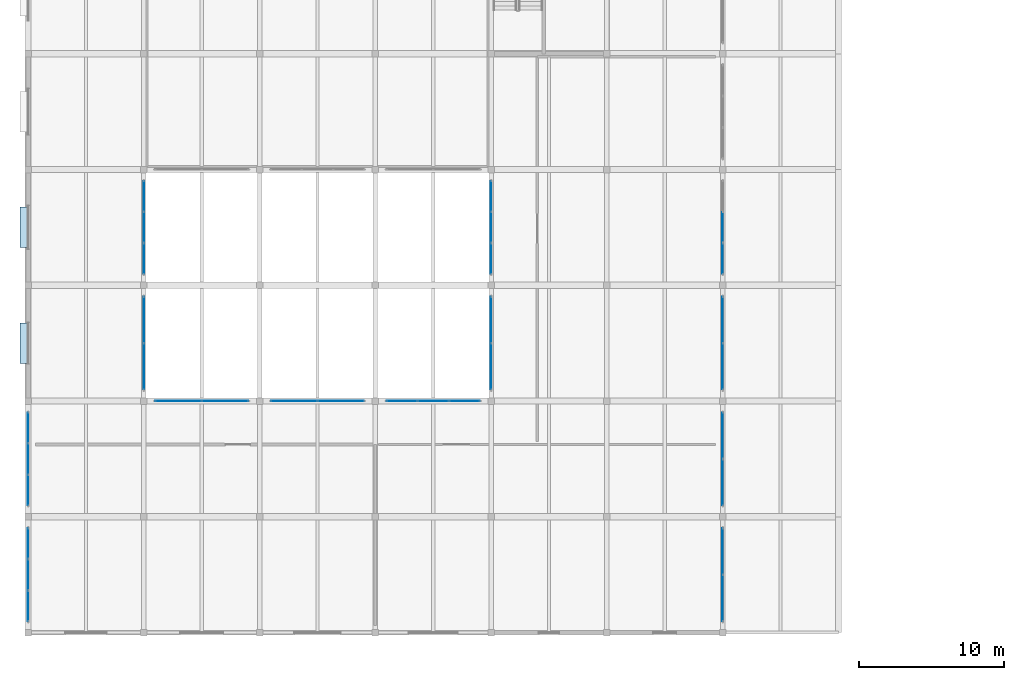
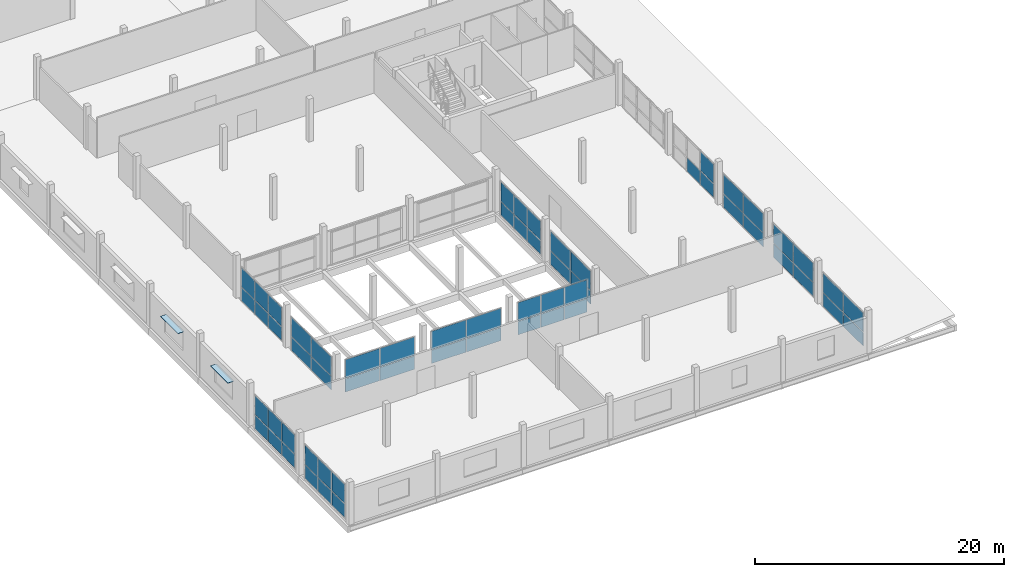
# One storey, part 32 of 53: 63 plates, 13 elements without a shape of their own.
"""IFC4 building model written with IfcOpenShell, lengths in metres."""

from ifc_helpers import new_model, si_unit, direction, frame, origin, origin_2d, place, context, subcontext, project, spatial, rectangle, extrude, material, layer, layer_set, type_object, element, aggregate, save


model = new_model("IFC4")

# Units and contexts
model_context = context("Model", 3, precision=1e-05, world=origin(), true_north=direction((0.0, 1.0)))
body_context = subcontext(model_context, "Body", "Model", "MODEL_VIEW")
ifc_project = project(units=[si_unit("LENGTHUNIT", "METRE"), si_unit("AREAUNIT", "SQUARE_METRE"), si_unit("VOLUMEUNIT", "CUBIC_METRE"), si_unit("PLANEANGLEUNIT", "RADIAN"), si_unit("MASSUNIT", "GRAM", prefix="KILO")], contexts=[model_context])

# Site, building, storey
site_placement = place(None, origin())
site = spatial("IfcSite", under=ifc_project, at=site_placement, CompositionType="ELEMENT")
building_placement = place(site_placement, origin())
building = spatial("IfcBuilding", under=site, at=building_placement, Name="Vharandega Faculty of Natural Sciences", CompositionType="ELEMENT")
storey_placement = place(building_placement, frame((0.0, 0.0, 10.199951171875)))
storey = spatial("IfcBuildingStorey", under=building, at=storey_placement, Name="L02", CompositionType="ELEMENT", Elevation=10.199951171875)

# Curtain wall, plates
ifc_material_1 = material(Name="Aluminium and solar-control glass curtain wall", Category="aluminium")
curtain_wall_type_1 = type_object("IfcCurtainWallType", Name="Unitised Curtain Wall System CW-20", PredefinedType="NOTDEFINED", material=ifc_material_1)
curtain_wall_1_placement = place(storey_placement, origin())
curtain_wall_1 = element("IfcCurtainWall", 1, at=curtain_wall_1_placement, inside=storey, type_object=curtain_wall_type_1, Name="Curtain Wall CW-L02-131", PredefinedType="NOTDEFINED")
ifc_material_2 = material(Name="Double-glazed low-E solar glass", Category="glass")
ifc_layer_1 = layer(ifc_material_2, 0.028076171875, Name="Double-glazed low-E solar glass")
ifc_layer_set_1 = layer_set([ifc_layer_1], Name="Double-glazed low-E solar glass")
plate_type_1 = type_object("IfcPlateType", Name="CW Solar Vision Panel 28mm", PredefinedType="CURTAIN_PANEL", material=ifc_layer_set_1)
plate_1_placement = place(storey_placement, frame((0.0, 1.841552734375, 0.06005859375), z_axis=(0.0, 0.0, 1.0), x_axis=(0.0, 1.0, 0.0)))
plate_1 = element("IfcPlate", 2, at=plate_1_placement, type_object=plate_type_1, Name="CW-20 panel 1.1", PredefinedType="CURTAIN_PANEL", context=body_context, shape_type="SweptSolid", body=[
    extrude(rectangle(XDim=2.083251953125, YDim=0.028076171875, at=origin_2d()), origin(), (0.0, 0.0, 1.0), 1.3212890625),
])
plate_2_placement = place(storey_placement, frame((0.0, 1.841552734375, 1.441162109375), z_axis=(0.0, 0.0, 1.0), x_axis=(0.0, 1.0, 0.0)))
plate_2 = element("IfcPlate", 3, at=plate_2_placement, type_object=plate_type_1, Name="CW-20 panel 1.2", PredefinedType="CURTAIN_PANEL", context=body_context, shape_type="SweptSolid", body=[
    extrude(rectangle(XDim=2.083251953125, YDim=0.028076171875, at=origin_2d()), origin(), (0.0, 0.0, 1.0), 1.85888671875),
])
plate_3_placement = place(storey_placement, frame((0.0, 4.0, 0.06005859375), z_axis=(0.0, 0.0, 1.0), x_axis=(0.0, 1.0, 0.0)))
plate_3 = element("IfcPlate", 4, at=plate_3_placement, type_object=plate_type_1, Name="CW-20 panel 2.1", PredefinedType="CURTAIN_PANEL", context=body_context, shape_type="SweptSolid", body=[
    extrude(rectangle(XDim=2.11328125, YDim=0.028076171875, at=origin_2d()), origin(), (0.0, 0.0, 1.0), 1.3212890625),
])
plate_4_placement = place(storey_placement, frame((0.0, 4.0, 1.441162109375), z_axis=(0.0, 0.0, 1.0), x_axis=(0.0, 1.0, 0.0)))
plate_4 = element("IfcPlate", 5, at=plate_4_placement, type_object=plate_type_1, Name="CW-20 panel 2.2", PredefinedType="CURTAIN_PANEL", context=body_context, shape_type="SweptSolid", body=[
    extrude(rectangle(XDim=2.11328125, YDim=0.028076171875, at=origin_2d()), origin(), (0.0, 0.0, 1.0), 1.85888671875),
])
plate_5_placement = place(storey_placement, frame((0.0, 6.158447265625, 0.06005859375), z_axis=(0.0, 0.0, 1.0), x_axis=(0.0, 1.0, 0.0)))
plate_5 = element("IfcPlate", 6, at=plate_5_placement, type_object=plate_type_1, Name="CW-20 panel 3.1", PredefinedType="CURTAIN_PANEL", context=body_context, shape_type="SweptSolid", body=[
    extrude(rectangle(XDim=2.083251953125, YDim=0.028076171875, at=origin_2d()), origin(), (0.0, 0.0, 1.0), 1.3212890625),
])
plate_6_placement = place(storey_placement, frame((0.0, 6.158447265625, 1.441162109375), z_axis=(0.0, 0.0, 1.0), x_axis=(0.0, 1.0, 0.0)))
plate_6 = element("IfcPlate", 7, at=plate_6_placement, type_object=plate_type_1, Name="CW-20 panel 3.2", PredefinedType="CURTAIN_PANEL", context=body_context, shape_type="SweptSolid", body=[
    extrude(rectangle(XDim=2.083251953125, YDim=0.028076171875, at=origin_2d()), origin(), (0.0, 0.0, 1.0), 1.85888671875),
])
aggregate(curtain_wall_1, [plate_1, plate_2, plate_3, plate_4, plate_5, plate_6])

ifc_material_3 = material(Name="Aluminium and solar-control glass curtain wall", Category="aluminium")
curtain_wall_type_2 = type_object("IfcCurtainWallType", Name="Unitised Curtain Wall System CW-21", PredefinedType="NOTDEFINED", material=ifc_material_3)
curtain_wall_2_placement = place(storey_placement, origin())
curtain_wall_2 = element("IfcCurtainWall", 8, at=curtain_wall_2_placement, inside=storey, type_object=curtain_wall_type_2, Name="Curtain Wall CW-L02-132", PredefinedType="NOTDEFINED")
plate_7_placement = place(storey_placement, frame((0.0, 9.841552734375, 0.06005859375), z_axis=(0.0, 0.0, 1.0), x_axis=(0.0, 1.0, 0.0)))
plate_7 = element("IfcPlate", 9, at=plate_7_placement, type_object=plate_type_1, Name="CW-21 panel 1.1", PredefinedType="CURTAIN_PANEL", context=body_context, shape_type="SweptSolid", body=[
    extrude(rectangle(XDim=2.083251953125, YDim=0.028076171875, at=origin_2d()), origin(), (0.0, 0.0, 1.0), 1.3212890625),
])
plate_8_placement = place(storey_placement, frame((0.0, 9.841552734375, 1.441162109375), z_axis=(0.0, 0.0, 1.0), x_axis=(0.0, 1.0, 0.0)))
plate_8 = element("IfcPlate", 10, at=plate_8_placement, type_object=plate_type_1, Name="CW-21 panel 1.2", PredefinedType="CURTAIN_PANEL", context=body_context, shape_type="SweptSolid", body=[
    extrude(rectangle(XDim=2.083251953125, YDim=0.028076171875, at=origin_2d()), origin(), (0.0, 0.0, 1.0), 1.85888671875),
])
plate_9_placement = place(storey_placement, frame((0.0, 12.0, 0.06005859375), z_axis=(0.0, 0.0, 1.0), x_axis=(0.0, 1.0, 0.0)))
plate_9 = element("IfcPlate", 11, at=plate_9_placement, type_object=plate_type_1, Name="CW-21 panel 2.1", PredefinedType="CURTAIN_PANEL", context=body_context, shape_type="SweptSolid", body=[
    extrude(rectangle(XDim=2.11328125, YDim=0.028076171875, at=origin_2d()), origin(), (0.0, 0.0, 1.0), 1.3212890625),
])
plate_10_placement = place(storey_placement, frame((0.0, 12.0, 1.441162109375), z_axis=(0.0, 0.0, 1.0), x_axis=(0.0, 1.0, 0.0)))
plate_10 = element("IfcPlate", 12, at=plate_10_placement, type_object=plate_type_1, Name="CW-21 panel 2.2", PredefinedType="CURTAIN_PANEL", context=body_context, shape_type="SweptSolid", body=[
    extrude(rectangle(XDim=2.11328125, YDim=0.028076171875, at=origin_2d()), origin(), (0.0, 0.0, 1.0), 1.85888671875),
])
plate_11_placement = place(storey_placement, frame((0.0, 14.158447265625, 0.06005859375), z_axis=(0.0, 0.0, 1.0), x_axis=(0.0, 1.0, 0.0)))
plate_11 = element("IfcPlate", 13, at=plate_11_placement, type_object=plate_type_1, Name="CW-21 panel 3.1", PredefinedType="CURTAIN_PANEL", context=body_context, shape_type="SweptSolid", body=[
    extrude(rectangle(XDim=2.083251953125, YDim=0.028076171875, at=origin_2d()), origin(), (0.0, 0.0, 1.0), 1.3212890625),
])
plate_12_placement = place(storey_placement, frame((0.0, 14.158447265625, 1.441162109375), z_axis=(0.0, 0.0, 1.0), x_axis=(0.0, 1.0, 0.0)))
plate_12 = element("IfcPlate", 14, at=plate_12_placement, type_object=plate_type_1, Name="CW-21 panel 3.2", PredefinedType="CURTAIN_PANEL", context=body_context, shape_type="SweptSolid", body=[
    extrude(rectangle(XDim=2.083251953125, YDim=0.028076171875, at=origin_2d()), origin(), (0.0, 0.0, 1.0), 1.85888671875),
])
aggregate(curtain_wall_2, [plate_7, plate_8, plate_9, plate_10, plate_11, plate_12])

ifc_material_4 = material(Name="Aluminium and solar-control glass curtain wall", Category="aluminium")
curtain_wall_type_3 = type_object("IfcCurtainWallType", Name="Unitised Curtain Wall System CW-22", PredefinedType="NOTDEFINED", material=ifc_material_4)
curtain_wall_3_placement = place(storey_placement, origin())
curtain_wall_3 = element("IfcCurtainWall", 15, at=curtain_wall_3_placement, inside=storey, type_object=curtain_wall_type_3, Name="Curtain Wall CW-L02-133", PredefinedType="NOTDEFINED")
plate_13_placement = place(storey_placement, frame((48.0, 2.385009765625, 0.06005859375), z_axis=(0.0, 0.0, 1.0), x_axis=(0.0, 1.0, 0.0)))
plate_13 = element("IfcPlate", 16, at=plate_13_placement, type_object=plate_type_1, Name="CW-22 panel 1.1", PredefinedType="CURTAIN_PANEL", context=body_context, shape_type="SweptSolid", body=[
    extrude(rectangle(XDim=3.169921875, YDim=0.028076171875, at=origin_2d()), origin(), (0.0, 0.0, 1.0), 1.3212890625),
])
plate_14_placement = place(storey_placement, frame((48.0, 2.385009765625, 1.441162109375), z_axis=(0.0, 0.0, 1.0), x_axis=(0.0, 1.0, 0.0)))
plate_14 = element("IfcPlate", 17, at=plate_14_placement, type_object=plate_type_1, Name="CW-22 panel 1.2", PredefinedType="CURTAIN_PANEL", context=body_context, shape_type="SweptSolid", body=[
    extrude(rectangle(XDim=3.169921875, YDim=0.028076171875, at=origin_2d()), origin(), (0.0, 0.0, 1.0), 1.85888671875),
])
plate_15_placement = place(storey_placement, frame((48.0, 5.614990234375, 0.06005859375), z_axis=(0.0, 0.0, 1.0), x_axis=(0.0, 1.0, 0.0)))
plate_15 = element("IfcPlate", 18, at=plate_15_placement, type_object=plate_type_1, Name="CW-22 panel 2.1", PredefinedType="CURTAIN_PANEL", context=body_context, shape_type="SweptSolid", body=[
    extrude(rectangle(XDim=3.169921875, YDim=0.028076171875, at=origin_2d()), origin(), (0.0, 0.0, 1.0), 1.3212890625),
])
plate_16_placement = place(storey_placement, frame((48.0, 5.614990234375, 1.441162109375), z_axis=(0.0, 0.0, 1.0), x_axis=(0.0, 1.0, 0.0)))
plate_16 = element("IfcPlate", 19, at=plate_16_placement, type_object=plate_type_1, Name="CW-22 panel 2.2", PredefinedType="CURTAIN_PANEL", context=body_context, shape_type="SweptSolid", body=[
    extrude(rectangle(XDim=3.169921875, YDim=0.028076171875, at=origin_2d()), origin(), (0.0, 0.0, 1.0), 1.85888671875),
])
aggregate(curtain_wall_3, [plate_13, plate_14, plate_15, plate_16])

ifc_material_5 = material(Name="Aluminium and solar-control glass curtain wall", Category="aluminium")
curtain_wall_type_4 = type_object("IfcCurtainWallType", Name="Unitised Curtain Wall System CW-23", PredefinedType="NOTDEFINED", material=ifc_material_5)
curtain_wall_4_placement = place(storey_placement, origin())
curtain_wall_4 = element("IfcCurtainWall", 20, at=curtain_wall_4_placement, inside=storey, type_object=curtain_wall_type_4, Name="Curtain Wall CW-L02-134", PredefinedType="NOTDEFINED")
plate_17_placement = place(storey_placement, frame((48.0, 10.385009765625, 0.06005859375), z_axis=(0.0, 0.0, 1.0), x_axis=(0.0, 1.0, 0.0)))
plate_17 = element("IfcPlate", 21, at=plate_17_placement, type_object=plate_type_1, Name="CW-23 panel 1.1", PredefinedType="CURTAIN_PANEL", context=body_context, shape_type="SweptSolid", body=[
    extrude(rectangle(XDim=3.169921875, YDim=0.028076171875, at=origin_2d()), origin(), (0.0, 0.0, 1.0), 1.3212890625),
])
plate_18_placement = place(storey_placement, frame((48.0, 10.385009765625, 1.441162109375), z_axis=(0.0, 0.0, 1.0), x_axis=(0.0, 1.0, 0.0)))
plate_18 = element("IfcPlate", 22, at=plate_18_placement, type_object=plate_type_1, Name="CW-23 panel 1.2", PredefinedType="CURTAIN_PANEL", context=body_context, shape_type="SweptSolid", body=[
    extrude(rectangle(XDim=3.169921875, YDim=0.028076171875, at=origin_2d()), origin(), (0.0, 0.0, 1.0), 1.85888671875),
])
plate_19_placement = place(storey_placement, frame((48.0, 13.614990234375, 0.06005859375), z_axis=(0.0, 0.0, 1.0), x_axis=(0.0, 1.0, 0.0)))
plate_19 = element("IfcPlate", 23, at=plate_19_placement, type_object=plate_type_1, Name="CW-23 panel 2.1", PredefinedType="CURTAIN_PANEL", context=body_context, shape_type="SweptSolid", body=[
    extrude(rectangle(XDim=3.169921875, YDim=0.028076171875, at=origin_2d()), origin(), (0.0, 0.0, 1.0), 1.3212890625),
])
plate_20_placement = place(storey_placement, frame((48.0, 13.614990234375, 1.441162109375), z_axis=(0.0, 0.0, 1.0), x_axis=(0.0, 1.0, 0.0)))
plate_20 = element("IfcPlate", 24, at=plate_20_placement, type_object=plate_type_1, Name="CW-23 panel 2.2", PredefinedType="CURTAIN_PANEL", context=body_context, shape_type="SweptSolid", body=[
    extrude(rectangle(XDim=3.169921875, YDim=0.028076171875, at=origin_2d()), origin(), (0.0, 0.0, 1.0), 1.85888671875),
])
aggregate(curtain_wall_4, [plate_17, plate_18, plate_19, plate_20])

ifc_material_6 = material(Name="Aluminium and solar-control glass curtain wall", Category="aluminium")
curtain_wall_type_5 = type_object("IfcCurtainWallType", Name="Unitised Curtain Wall System CW-24", PredefinedType="NOTDEFINED", material=ifc_material_6)
curtain_wall_5_placement = place(storey_placement, origin())
curtain_wall_5 = element("IfcCurtainWall", 25, at=curtain_wall_5_placement, inside=storey, type_object=curtain_wall_type_5, Name="Curtain Wall CW-L02-135", PredefinedType="NOTDEFINED")
plate_21_placement = place(storey_placement, frame((48.0, 18.385009765625, 0.06005859375), z_axis=(0.0, 0.0, 1.0), x_axis=(0.0, 1.0, 0.0)))
plate_21 = element("IfcPlate", 26, at=plate_21_placement, type_object=plate_type_1, Name="CW-24 panel 1.1", PredefinedType="CURTAIN_PANEL", context=body_context, shape_type="SweptSolid", body=[
    extrude(rectangle(XDim=3.169921875, YDim=0.028076171875, at=origin_2d()), origin(), (0.0, 0.0, 1.0), 1.3212890625),
])
plate_22_placement = place(storey_placement, frame((48.0, 18.385009765625, 1.441162109375), z_axis=(0.0, 0.0, 1.0), x_axis=(0.0, 1.0, 0.0)))
plate_22 = element("IfcPlate", 27, at=plate_22_placement, type_object=plate_type_1, Name="CW-24 panel 1.2", PredefinedType="CURTAIN_PANEL", context=body_context, shape_type="SweptSolid", body=[
    extrude(rectangle(XDim=3.169921875, YDim=0.028076171875, at=origin_2d()), origin(), (0.0, 0.0, 1.0), 1.85888671875),
])
plate_23_placement = place(storey_placement, frame((48.0, 21.614990234375, 0.06005859375), z_axis=(0.0, 0.0, 1.0), x_axis=(0.0, 1.0, 0.0)))
plate_23 = element("IfcPlate", 28, at=plate_23_placement, type_object=plate_type_1, Name="CW-24 panel 2.1", PredefinedType="CURTAIN_PANEL", context=body_context, shape_type="SweptSolid", body=[
    extrude(rectangle(XDim=3.169921875, YDim=0.028076171875, at=origin_2d()), origin(), (0.0, 0.0, 1.0), 1.3212890625),
])
plate_24_placement = place(storey_placement, frame((48.0, 21.614990234375, 1.441162109375), z_axis=(0.0, 0.0, 1.0), x_axis=(0.0, 1.0, 0.0)))
plate_24 = element("IfcPlate", 29, at=plate_24_placement, type_object=plate_type_1, Name="CW-24 panel 2.2", PredefinedType="CURTAIN_PANEL", context=body_context, shape_type="SweptSolid", body=[
    extrude(rectangle(XDim=3.169921875, YDim=0.028076171875, at=origin_2d()), origin(), (0.0, 0.0, 1.0), 1.85888671875),
])
aggregate(curtain_wall_5, [plate_21, plate_22, plate_23, plate_24])

ifc_material_7 = material(Name="Aluminium and solar-control glass curtain wall", Category="aluminium")
curtain_wall_type_6 = type_object("IfcCurtainWallType", Name="Unitised Curtain Wall System CW-25", PredefinedType="NOTDEFINED", material=ifc_material_7)
curtain_wall_6_placement = place(storey_placement, origin())
curtain_wall_6 = element("IfcCurtainWall", 30, at=curtain_wall_6_placement, inside=storey, type_object=curtain_wall_type_6, Name="Curtain Wall CW-L02-136", PredefinedType="NOTDEFINED")
plate_25_placement = place(storey_placement, frame((48.0, 25.841552734375, 0.06005859375), z_axis=(0.0, 0.0, 1.0), x_axis=(0.0, 1.0, 0.0)))
plate_25 = element("IfcPlate", 31, at=plate_25_placement, type_object=plate_type_1, Name="CW-25 panel 1.1", PredefinedType="CURTAIN_PANEL", context=body_context, shape_type="SweptSolid", body=[
    extrude(rectangle(XDim=2.083251953125, YDim=0.028076171875, at=origin_2d()), origin(), (0.0, 0.0, 1.0), 1.3212890625),
])
plate_26_placement = place(storey_placement, frame((48.0, 25.841552734375, 1.441162109375), z_axis=(0.0, 0.0, 1.0), x_axis=(0.0, 1.0, 0.0)))
plate_26 = element("IfcPlate", 32, at=plate_26_placement, type_object=plate_type_1, Name="CW-25 panel 1.2", PredefinedType="CURTAIN_PANEL", context=body_context, shape_type="SweptSolid", body=[
    extrude(rectangle(XDim=2.083251953125, YDim=0.028076171875, at=origin_2d()), origin(), (0.0, 0.0, 1.0), 1.85888671875),
])
plate_27_placement = place(storey_placement, frame((48.0, 28.0, 0.06005859375), z_axis=(0.0, 0.0, 1.0), x_axis=(0.0, 1.0, 0.0)))
plate_27 = element("IfcPlate", 33, at=plate_27_placement, type_object=plate_type_1, Name="CW-25 panel 2.1", PredefinedType="CURTAIN_PANEL", context=body_context, shape_type="SweptSolid", body=[
    extrude(rectangle(XDim=2.11328125, YDim=0.028076171875, at=origin_2d()), origin(), (0.0, 0.0, 1.0), 1.3212890625),
])
aggregate(curtain_wall_6, [plate_25, plate_26, plate_27])

ifc_material_8 = material(Name="Aluminium and solar-control glass curtain wall", Category="aluminium")
curtain_wall_type_7 = type_object("IfcCurtainWallType", Name="Unitised Curtain Wall System CW-02", PredefinedType="NOTDEFINED", material=ifc_material_8)
curtain_wall_7_placement = place(storey_placement, origin())
curtain_wall_7 = element("IfcCurtainWall", 34, at=curtain_wall_7_placement, inside=storey, type_object=curtain_wall_type_7, Name="Curtain Wall CW-L02-141", PredefinedType="NOTDEFINED")
plate_28_placement = place(storey_placement, frame((10.385009765625, 16.0, 0.06005859375), z_axis=(0.0, 0.0, 1.0), x_axis=(1.0, 0.0, 0.0)))
plate_28 = element("IfcPlate", 35, at=plate_28_placement, type_object=plate_type_1, Name="CW-02 panel 1.1", PredefinedType="CURTAIN_PANEL", context=body_context, shape_type="SweptSolid", body=[
    extrude(rectangle(XDim=3.169921875, YDim=0.028076171875, at=origin_2d()), origin(), (0.0, 0.0, 1.0), 1.28759765625),
])
plate_29_placement = place(storey_placement, frame((10.385009765625, 16.0, 1.40771484375), z_axis=(0.0, 0.0, 1.0), x_axis=(1.0, 0.0, 0.0)))
plate_29 = element("IfcPlate", 36, at=plate_29_placement, type_object=plate_type_1, Name="CW-02 panel 1.2", PredefinedType="CURTAIN_PANEL", context=body_context, shape_type="SweptSolid", body=[
    extrude(rectangle(XDim=3.169921875, YDim=0.028076171875, at=origin_2d()), origin(), (0.0, 0.0, 1.0), 1.8125),
])
plate_30_placement = place(storey_placement, frame((13.614990234375, 16.0, 0.06005859375), z_axis=(0.0, 0.0, 1.0), x_axis=(1.0, 0.0, 0.0)))
plate_30 = element("IfcPlate", 37, at=plate_30_placement, type_object=plate_type_1, Name="CW-02 panel 2.1", PredefinedType="CURTAIN_PANEL", context=body_context, shape_type="SweptSolid", body=[
    extrude(rectangle(XDim=3.169921875, YDim=0.028076171875, at=origin_2d()), origin(), (0.0, 0.0, 1.0), 1.28759765625),
])
plate_31_placement = place(storey_placement, frame((13.614990234375, 16.0, 1.40771484375), z_axis=(0.0, 0.0, 1.0), x_axis=(1.0, 0.0, 0.0)))
plate_31 = element("IfcPlate", 38, at=plate_31_placement, type_object=plate_type_1, Name="CW-02 panel 2.2", PredefinedType="CURTAIN_PANEL", context=body_context, shape_type="SweptSolid", body=[
    extrude(rectangle(XDim=3.169921875, YDim=0.028076171875, at=origin_2d()), origin(), (0.0, 0.0, 1.0), 1.8125),
])
aggregate(curtain_wall_7, [plate_28, plate_29, plate_30, plate_31])

ifc_material_9 = material(Name="Aluminium and solar-control glass curtain wall", Category="aluminium")
curtain_wall_type_8 = type_object("IfcCurtainWallType", Name="Unitised Curtain Wall System CW-04", PredefinedType="NOTDEFINED", material=ifc_material_9)
curtain_wall_8_placement = place(storey_placement, origin())
curtain_wall_8 = element("IfcCurtainWall", 39, at=curtain_wall_8_placement, inside=storey, type_object=curtain_wall_type_8, Name="Curtain Wall CW-L02-143", PredefinedType="NOTDEFINED")
plate_32_placement = place(storey_placement, frame((18.385009765625, 16.0, 0.06005859375), z_axis=(0.0, 0.0, 1.0), x_axis=(1.0, 0.0, 0.0)))
plate_32 = element("IfcPlate", 40, at=plate_32_placement, type_object=plate_type_1, Name="CW-04 panel 1.1", PredefinedType="CURTAIN_PANEL", context=body_context, shape_type="SweptSolid", body=[
    extrude(rectangle(XDim=3.169921875, YDim=0.028076171875, at=origin_2d()), origin(), (0.0, 0.0, 1.0), 1.28759765625),
])
plate_33_placement = place(storey_placement, frame((18.385009765625, 16.0, 1.40771484375), z_axis=(0.0, 0.0, 1.0), x_axis=(1.0, 0.0, 0.0)))
plate_33 = element("IfcPlate", 41, at=plate_33_placement, type_object=plate_type_1, Name="CW-04 panel 1.2", PredefinedType="CURTAIN_PANEL", context=body_context, shape_type="SweptSolid", body=[
    extrude(rectangle(XDim=3.169921875, YDim=0.028076171875, at=origin_2d()), origin(), (0.0, 0.0, 1.0), 1.8125),
])
plate_34_placement = place(storey_placement, frame((21.614990234375, 16.0, 0.06005859375), z_axis=(0.0, 0.0, 1.0), x_axis=(1.0, 0.0, 0.0)))
plate_34 = element("IfcPlate", 42, at=plate_34_placement, type_object=plate_type_1, Name="CW-04 panel 2.1", PredefinedType="CURTAIN_PANEL", context=body_context, shape_type="SweptSolid", body=[
    extrude(rectangle(XDim=3.169921875, YDim=0.028076171875, at=origin_2d()), origin(), (0.0, 0.0, 1.0), 1.28759765625),
])
plate_35_placement = place(storey_placement, frame((21.614990234375, 16.0, 1.40771484375), z_axis=(0.0, 0.0, 1.0), x_axis=(1.0, 0.0, 0.0)))
plate_35 = element("IfcPlate", 43, at=plate_35_placement, type_object=plate_type_1, Name="CW-04 panel 2.2", PredefinedType="CURTAIN_PANEL", context=body_context, shape_type="SweptSolid", body=[
    extrude(rectangle(XDim=3.169921875, YDim=0.028076171875, at=origin_2d()), origin(), (0.0, 0.0, 1.0), 1.8125),
])
aggregate(curtain_wall_8, [plate_32, plate_33, plate_34, plate_35])

ifc_material_10 = material(Name="Aluminium and solar-control glass curtain wall", Category="aluminium")
curtain_wall_type_9 = type_object("IfcCurtainWallType", Name="Unitised Curtain Wall System CW-06", PredefinedType="NOTDEFINED", material=ifc_material_10)
curtain_wall_9_placement = place(storey_placement, origin())
curtain_wall_9 = element("IfcCurtainWall", 44, at=curtain_wall_9_placement, inside=storey, type_object=curtain_wall_type_9, Name="Curtain Wall CW-L02-145", PredefinedType="NOTDEFINED")
plate_36_placement = place(storey_placement, frame((25.841552734375, 16.0, 0.06005859375), z_axis=(0.0, 0.0, 1.0), x_axis=(1.0, 0.0, 0.0)))
plate_36 = element("IfcPlate", 45, at=plate_36_placement, type_object=plate_type_1, Name="CW-06 panel 1.1", PredefinedType="CURTAIN_PANEL", context=body_context, shape_type="SweptSolid", body=[
    extrude(rectangle(XDim=2.083251953125, YDim=0.028076171875, at=origin_2d()), origin(), (0.0, 0.0, 1.0), 1.28759765625),
])
plate_37_placement = place(storey_placement, frame((25.841552734375, 16.0, 1.40771484375), z_axis=(0.0, 0.0, 1.0), x_axis=(1.0, 0.0, 0.0)))
plate_37 = element("IfcPlate", 46, at=plate_37_placement, type_object=plate_type_1, Name="CW-06 panel 1.2", PredefinedType="CURTAIN_PANEL", context=body_context, shape_type="SweptSolid", body=[
    extrude(rectangle(XDim=2.083251953125, YDim=0.028076171875, at=origin_2d()), origin(), (0.0, 0.0, 1.0), 1.8125),
])
plate_38_placement = place(storey_placement, frame((28.0, 16.0, 0.06005859375), z_axis=(0.0, 0.0, 1.0), x_axis=(1.0, 0.0, 0.0)))
plate_38 = element("IfcPlate", 47, at=plate_38_placement, type_object=plate_type_1, Name="CW-06 panel 2.1", PredefinedType="CURTAIN_PANEL", context=body_context, shape_type="SweptSolid", body=[
    extrude(rectangle(XDim=2.11328125, YDim=0.028076171875, at=origin_2d()), origin(), (0.0, 0.0, 1.0), 1.28759765625),
])
plate_39_placement = place(storey_placement, frame((28.0, 16.0, 1.40771484375), z_axis=(0.0, 0.0, 1.0), x_axis=(1.0, 0.0, 0.0)))
plate_39 = element("IfcPlate", 48, at=plate_39_placement, type_object=plate_type_1, Name="CW-06 panel 2.2", PredefinedType="CURTAIN_PANEL", context=body_context, shape_type="SweptSolid", body=[
    extrude(rectangle(XDim=2.11328125, YDim=0.028076171875, at=origin_2d()), origin(), (0.0, 0.0, 1.0), 1.8125),
])
plate_40_placement = place(storey_placement, frame((30.158447265625, 16.0, 0.06005859375), z_axis=(0.0, 0.0, 1.0), x_axis=(1.0, 0.0, 0.0)))
plate_40 = element("IfcPlate", 49, at=plate_40_placement, type_object=plate_type_1, Name="CW-06 panel 3.1", PredefinedType="CURTAIN_PANEL", context=body_context, shape_type="SweptSolid", body=[
    extrude(rectangle(XDim=2.083251953125, YDim=0.028076171875, at=origin_2d()), origin(), (0.0, 0.0, 1.0), 1.28759765625),
])
plate_41_placement = place(storey_placement, frame((30.158447265625, 16.0, 1.40771484375), z_axis=(0.0, 0.0, 1.0), x_axis=(1.0, 0.0, 0.0)))
plate_41 = element("IfcPlate", 50, at=plate_41_placement, type_object=plate_type_1, Name="CW-06 panel 3.2", PredefinedType="CURTAIN_PANEL", context=body_context, shape_type="SweptSolid", body=[
    extrude(rectangle(XDim=2.083251953125, YDim=0.028076171875, at=origin_2d()), origin(), (0.0, 0.0, 1.0), 1.8125),
])
aggregate(curtain_wall_9, [plate_36, plate_37, plate_38, plate_39, plate_40, plate_41])

ifc_material_11 = material(Name="Aluminium and solar-control glass curtain wall", Category="aluminium")
curtain_wall_type_10 = type_object("IfcCurtainWallType", Name="Unitised Curtain Wall System CW-08", PredefinedType="NOTDEFINED", material=ifc_material_11)
curtain_wall_10_placement = place(storey_placement, origin())
curtain_wall_10 = element("IfcCurtainWall", 51, at=curtain_wall_10_placement, inside=storey, type_object=curtain_wall_type_10, Name="Curtain Wall CW-L02-147", PredefinedType="NOTDEFINED")
plate_42_placement = place(storey_placement, frame((8.0, 18.385009765625, 0.06005859375), z_axis=(0.0, 0.0, 1.0), x_axis=(0.0, 1.0, 0.0)))
plate_42 = element("IfcPlate", 52, at=plate_42_placement, type_object=plate_type_1, Name="CW-08 panel 1.1", PredefinedType="CURTAIN_PANEL", context=body_context, shape_type="SweptSolid", body=[
    extrude(rectangle(XDim=3.169921875, YDim=0.028076171875, at=origin_2d()), origin(), (0.0, 0.0, 1.0), 1.3212890625),
])
plate_43_placement = place(storey_placement, frame((8.0, 18.385009765625, 1.441162109375), z_axis=(0.0, 0.0, 1.0), x_axis=(0.0, 1.0, 0.0)))
plate_43 = element("IfcPlate", 53, at=plate_43_placement, type_object=plate_type_1, Name="CW-08 panel 1.2", PredefinedType="CURTAIN_PANEL", context=body_context, shape_type="SweptSolid", body=[
    extrude(rectangle(XDim=3.169921875, YDim=0.028076171875, at=origin_2d()), origin(), (0.0, 0.0, 1.0), 1.85888671875),
])
plate_44_placement = place(storey_placement, frame((8.0, 21.614990234375, 0.06005859375), z_axis=(0.0, 0.0, 1.0), x_axis=(0.0, 1.0, 0.0)))
plate_44 = element("IfcPlate", 54, at=plate_44_placement, type_object=plate_type_1, Name="CW-08 panel 2.1", PredefinedType="CURTAIN_PANEL", context=body_context, shape_type="SweptSolid", body=[
    extrude(rectangle(XDim=3.169921875, YDim=0.028076171875, at=origin_2d()), origin(), (0.0, 0.0, 1.0), 1.3212890625),
])
plate_45_placement = place(storey_placement, frame((8.0, 21.614990234375, 1.441162109375), z_axis=(0.0, 0.0, 1.0), x_axis=(0.0, 1.0, 0.0)))
plate_45 = element("IfcPlate", 55, at=plate_45_placement, type_object=plate_type_1, Name="CW-08 panel 2.2", PredefinedType="CURTAIN_PANEL", context=body_context, shape_type="SweptSolid", body=[
    extrude(rectangle(XDim=3.169921875, YDim=0.028076171875, at=origin_2d()), origin(), (0.0, 0.0, 1.0), 1.85888671875),
])
aggregate(curtain_wall_10, [plate_42, plate_43, plate_44, plate_45])

ifc_material_12 = material(Name="Aluminium and solar-control glass curtain wall", Category="aluminium")
curtain_wall_type_11 = type_object("IfcCurtainWallType", Name="Unitised Curtain Wall System CW-09", PredefinedType="NOTDEFINED", material=ifc_material_12)
curtain_wall_11_placement = place(storey_placement, origin())
curtain_wall_11 = element("IfcCurtainWall", 56, at=curtain_wall_11_placement, inside=storey, type_object=curtain_wall_type_11, Name="Curtain Wall CW-L02-148", PredefinedType="NOTDEFINED")
plate_46_placement = place(storey_placement, frame((32.0, 18.385009765625, 0.06005859375), z_axis=(0.0, 0.0, 1.0), x_axis=(0.0, 1.0, 0.0)))
plate_46 = element("IfcPlate", 57, at=plate_46_placement, type_object=plate_type_1, Name="CW-09 panel 1.1", PredefinedType="CURTAIN_PANEL", context=body_context, shape_type="SweptSolid", body=[
    extrude(rectangle(XDim=3.169921875, YDim=0.028076171875, at=origin_2d()), origin(), (0.0, 0.0, 1.0), 1.3212890625),
])
plate_47_placement = place(storey_placement, frame((32.0, 18.385009765625, 1.441162109375), z_axis=(0.0, 0.0, 1.0), x_axis=(0.0, 1.0, 0.0)))
plate_47 = element("IfcPlate", 58, at=plate_47_placement, type_object=plate_type_1, Name="CW-09 panel 1.2", PredefinedType="CURTAIN_PANEL", context=body_context, shape_type="SweptSolid", body=[
    extrude(rectangle(XDim=3.169921875, YDim=0.028076171875, at=origin_2d()), origin(), (0.0, 0.0, 1.0), 1.85888671875),
])
plate_48_placement = place(storey_placement, frame((32.0, 21.614990234375, 0.06005859375), z_axis=(0.0, 0.0, 1.0), x_axis=(0.0, 1.0, 0.0)))
plate_48 = element("IfcPlate", 59, at=plate_48_placement, type_object=plate_type_1, Name="CW-09 panel 2.1", PredefinedType="CURTAIN_PANEL", context=body_context, shape_type="SweptSolid", body=[
    extrude(rectangle(XDim=3.169921875, YDim=0.028076171875, at=origin_2d()), origin(), (0.0, 0.0, 1.0), 1.3212890625),
])
plate_49_placement = place(storey_placement, frame((32.0, 21.614990234375, 1.441162109375), z_axis=(0.0, 0.0, 1.0), x_axis=(0.0, 1.0, 0.0)))
plate_49 = element("IfcPlate", 60, at=plate_49_placement, type_object=plate_type_1, Name="CW-09 panel 2.2", PredefinedType="CURTAIN_PANEL", context=body_context, shape_type="SweptSolid", body=[
    extrude(rectangle(XDim=3.169921875, YDim=0.028076171875, at=origin_2d()), origin(), (0.0, 0.0, 1.0), 1.85888671875),
])
aggregate(curtain_wall_11, [plate_46, plate_47, plate_48, plate_49])

ifc_material_13 = material(Name="Aluminium and solar-control glass curtain wall", Category="aluminium")
curtain_wall_type_12 = type_object("IfcCurtainWallType", Name="Unitised Curtain Wall System CW-10", PredefinedType="NOTDEFINED", material=ifc_material_13)
curtain_wall_12_placement = place(storey_placement, origin())
curtain_wall_12 = element("IfcCurtainWall", 61, at=curtain_wall_12_placement, inside=storey, type_object=curtain_wall_type_12, Name="Curtain Wall CW-L02-149", PredefinedType="NOTDEFINED")
plate_50_placement = place(storey_placement, frame((8.0, 25.841552734375, 0.06005859375), z_axis=(0.0, 0.0, 1.0), x_axis=(0.0, 1.0, 0.0)))
plate_50 = element("IfcPlate", 62, at=plate_50_placement, type_object=plate_type_1, Name="CW-10 panel 1.1", PredefinedType="CURTAIN_PANEL", context=body_context, shape_type="SweptSolid", body=[
    extrude(rectangle(XDim=2.083251953125, YDim=0.028076171875, at=origin_2d()), origin(), (0.0, 0.0, 1.0), 1.3212890625),
])
plate_51_placement = place(storey_placement, frame((8.0, 25.841552734375, 1.441162109375), z_axis=(0.0, 0.0, 1.0), x_axis=(0.0, 1.0, 0.0)))
plate_51 = element("IfcPlate", 63, at=plate_51_placement, type_object=plate_type_1, Name="CW-10 panel 1.2", PredefinedType="CURTAIN_PANEL", context=body_context, shape_type="SweptSolid", body=[
    extrude(rectangle(XDim=2.083251953125, YDim=0.028076171875, at=origin_2d()), origin(), (0.0, 0.0, 1.0), 1.85888671875),
])
plate_52_placement = place(storey_placement, frame((8.0, 28.0, 0.06005859375), z_axis=(0.0, 0.0, 1.0), x_axis=(0.0, 1.0, 0.0)))
plate_52 = element("IfcPlate", 64, at=plate_52_placement, type_object=plate_type_1, Name="CW-10 panel 2.1", PredefinedType="CURTAIN_PANEL", context=body_context, shape_type="SweptSolid", body=[
    extrude(rectangle(XDim=2.11328125, YDim=0.028076171875, at=origin_2d()), origin(), (0.0, 0.0, 1.0), 1.3212890625),
])
plate_53_placement = place(storey_placement, frame((8.0, 28.0, 1.441162109375), z_axis=(0.0, 0.0, 1.0), x_axis=(0.0, 1.0, 0.0)))
plate_53 = element("IfcPlate", 65, at=plate_53_placement, type_object=plate_type_1, Name="CW-10 panel 2.2", PredefinedType="CURTAIN_PANEL", context=body_context, shape_type="SweptSolid", body=[
    extrude(rectangle(XDim=2.11328125, YDim=0.028076171875, at=origin_2d()), origin(), (0.0, 0.0, 1.0), 1.85888671875),
])
plate_54_placement = place(storey_placement, frame((8.0, 30.158447265625, 0.06005859375), z_axis=(0.0, 0.0, 1.0), x_axis=(0.0, 1.0, 0.0)))
plate_54 = element("IfcPlate", 66, at=plate_54_placement, type_object=plate_type_1, Name="CW-10 panel 3.1", PredefinedType="CURTAIN_PANEL", context=body_context, shape_type="SweptSolid", body=[
    extrude(rectangle(XDim=2.083251953125, YDim=0.028076171875, at=origin_2d()), origin(), (0.0, 0.0, 1.0), 1.3212890625),
])
plate_55_placement = place(storey_placement, frame((8.0, 30.158447265625, 1.441162109375), z_axis=(0.0, 0.0, 1.0), x_axis=(0.0, 1.0, 0.0)))
plate_55 = element("IfcPlate", 67, at=plate_55_placement, type_object=plate_type_1, Name="CW-10 panel 3.2", PredefinedType="CURTAIN_PANEL", context=body_context, shape_type="SweptSolid", body=[
    extrude(rectangle(XDim=2.083251953125, YDim=0.028076171875, at=origin_2d()), origin(), (0.0, 0.0, 1.0), 1.85888671875),
])
aggregate(curtain_wall_12, [plate_50, plate_51, plate_52, plate_53, plate_54, plate_55])

ifc_material_14 = material(Name="Aluminium and solar-control glass curtain wall", Category="aluminium")
curtain_wall_type_13 = type_object("IfcCurtainWallType", Name="Unitised Curtain Wall System CW-11", PredefinedType="NOTDEFINED", material=ifc_material_14)
curtain_wall_13_placement = place(storey_placement, origin())
curtain_wall_13 = element("IfcCurtainWall", 68, at=curtain_wall_13_placement, inside=storey, type_object=curtain_wall_type_13, Name="Curtain Wall CW-L02-150", PredefinedType="NOTDEFINED")
plate_56_placement = place(storey_placement, frame((32.0, 25.841552734375, 0.06005859375), z_axis=(0.0, 0.0, 1.0), x_axis=(0.0, 1.0, 0.0)))
plate_56 = element("IfcPlate", 69, at=plate_56_placement, type_object=plate_type_1, Name="CW-11 panel 1.1", PredefinedType="CURTAIN_PANEL", context=body_context, shape_type="SweptSolid", body=[
    extrude(rectangle(XDim=2.083251953125, YDim=0.028076171875, at=origin_2d()), origin(), (0.0, 0.0, 1.0), 1.3212890625),
])
plate_57_placement = place(storey_placement, frame((32.0, 25.841552734375, 1.441162109375), z_axis=(0.0, 0.0, 1.0), x_axis=(0.0, 1.0, 0.0)))
plate_57 = element("IfcPlate", 70, at=plate_57_placement, type_object=plate_type_1, Name="CW-11 panel 1.2", PredefinedType="CURTAIN_PANEL", context=body_context, shape_type="SweptSolid", body=[
    extrude(rectangle(XDim=2.083251953125, YDim=0.028076171875, at=origin_2d()), origin(), (0.0, 0.0, 1.0), 1.85888671875),
])
plate_58_placement = place(storey_placement, frame((32.0, 28.0, 0.06005859375), z_axis=(0.0, 0.0, 1.0), x_axis=(0.0, 1.0, 0.0)))
plate_58 = element("IfcPlate", 71, at=plate_58_placement, type_object=plate_type_1, Name="CW-11 panel 2.1", PredefinedType="CURTAIN_PANEL", context=body_context, shape_type="SweptSolid", body=[
    extrude(rectangle(XDim=2.11328125, YDim=0.028076171875, at=origin_2d()), origin(), (0.0, 0.0, 1.0), 1.3212890625),
])
plate_59_placement = place(storey_placement, frame((32.0, 28.0, 1.441162109375), z_axis=(0.0, 0.0, 1.0), x_axis=(0.0, 1.0, 0.0)))
plate_59 = element("IfcPlate", 72, at=plate_59_placement, type_object=plate_type_1, Name="CW-11 panel 2.2", PredefinedType="CURTAIN_PANEL", context=body_context, shape_type="SweptSolid", body=[
    extrude(rectangle(XDim=2.11328125, YDim=0.028076171875, at=origin_2d()), origin(), (0.0, 0.0, 1.0), 1.85888671875),
])
plate_60_placement = place(storey_placement, frame((32.0, 30.158447265625, 0.06005859375), z_axis=(0.0, 0.0, 1.0), x_axis=(0.0, 1.0, 0.0)))
plate_60 = element("IfcPlate", 73, at=plate_60_placement, type_object=plate_type_1, Name="CW-11 panel 3.1", PredefinedType="CURTAIN_PANEL", context=body_context, shape_type="SweptSolid", body=[
    extrude(rectangle(XDim=2.083251953125, YDim=0.028076171875, at=origin_2d()), origin(), (0.0, 0.0, 1.0), 1.3212890625),
])
plate_61_placement = place(storey_placement, frame((32.0, 30.158447265625, 1.441162109375), z_axis=(0.0, 0.0, 1.0), x_axis=(0.0, 1.0, 0.0)))
plate_61 = element("IfcPlate", 74, at=plate_61_placement, type_object=plate_type_1, Name="CW-11 panel 3.2", PredefinedType="CURTAIN_PANEL", context=body_context, shape_type="SweptSolid", body=[
    extrude(rectangle(XDim=2.083251953125, YDim=0.028076171875, at=origin_2d()), origin(), (0.0, 0.0, 1.0), 1.85888671875),
])
aggregate(curtain_wall_13, [plate_56, plate_57, plate_58, plate_59, plate_60, plate_61])

# Plates
ifc_material_15 = material(Name="Aluminium solar hood sheet", Category="aluminium")
ifc_layer_2 = layer(ifc_material_15, 0.0400390625, Name="Aluminium solar hood sheet")
ifc_layer_set_2 = layer_set([ifc_layer_2], Name="Aluminium solar hood sheet")
plate_type_2 = type_object("IfcPlateType", Name="North Solar Hood Sheet Plate 40", PredefinedType="SHEET", material=ifc_layer_set_2)
for number, where, z_axis, x_axis, name in (
    (75, (-0.280029296875, 20.0, 2.60009765625), (0.0, 0.0, 1.0), (1.0, 0.0, 0.0), "Solar Shading Hood L02 C"),
    (76, (-0.280029296875, 28.0, 2.60009765625), (0.0, 0.0, 1.0), (1.0, 0.0, 0.0), "Solar Shading Hood L02 D"),
):
    element("IfcPlate", number, at=place(storey_placement, frame(where, z_axis=z_axis, x_axis=x_axis)), inside=storey, type_object=plate_type_2, Name=name, PredefinedType="SHEET", context=body_context, shape_type="SweptSolid", body=[
        extrude(rectangle(XDim=0.56005859375, YDim=2.800048828125, at=origin_2d()), origin(), (0.0, 0.0, 1.0), 0.0400390625),
    ])

save(model, "model.ifc")
